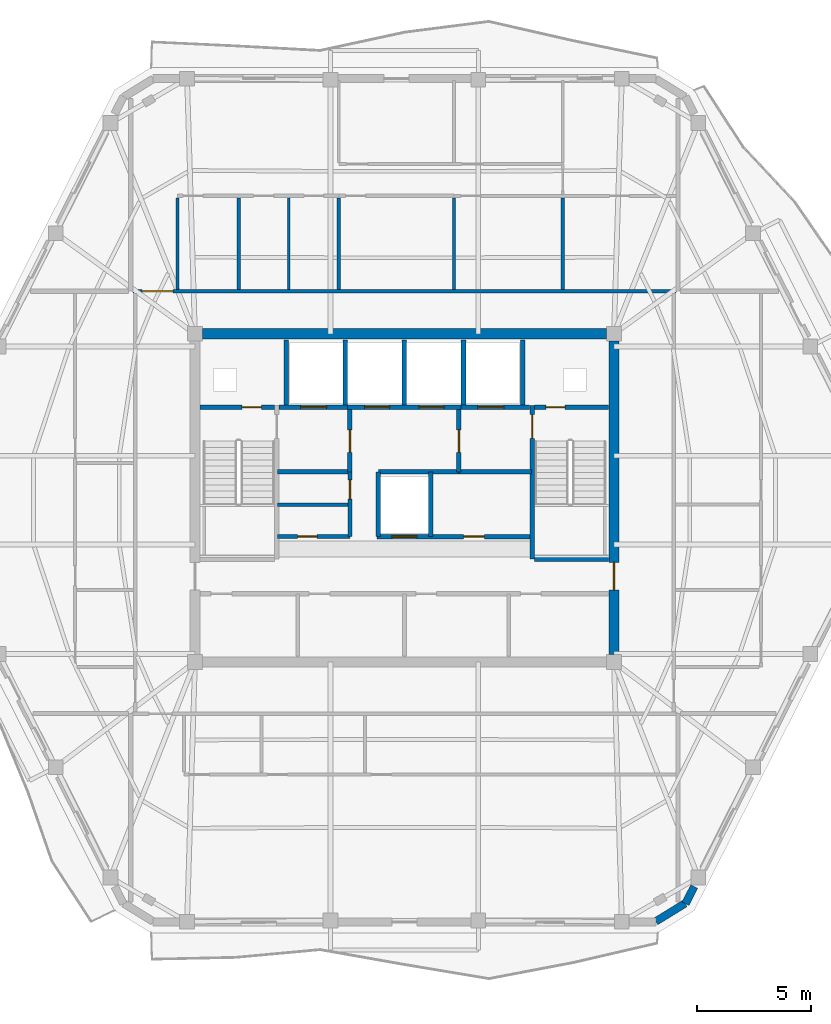
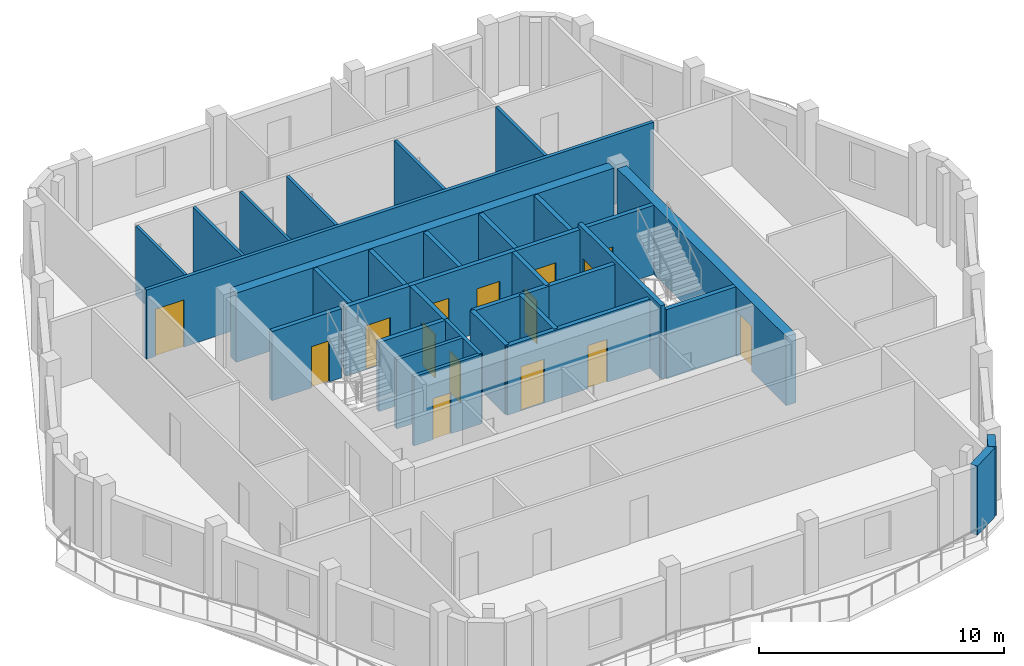
# One storey, part 5 of 10: 34 walls, 15 doors, 15 openings.
"""IFC4 building model written with IfcOpenShell, lengths in metres."""

from ifc_helpers import new_model, si_unit, direction, frame, frame_2d, origin, place, context, subcontext, project, spatial, rectangle, extrude, material, layer, layer_set, type_object, element, fill, save


model = new_model("IFC4")

# Units and contexts
model_context = context("Model", 3, precision=1e-05, world=origin(), true_north=direction((0.0, 1.0)))
body_context = subcontext(model_context, "Body", "Model", "MODEL_VIEW")
ifc_project = project(units=[si_unit("LENGTHUNIT", "METRE"), si_unit("AREAUNIT", "SQUARE_METRE"), si_unit("VOLUMEUNIT", "CUBIC_METRE"), si_unit("PLANEANGLEUNIT", "RADIAN"), si_unit("MASSUNIT", "GRAM", prefix="KILO")], contexts=[model_context])

# Site, building, storey
site_placement = place(None, origin())
site = spatial("IfcSite", under=ifc_project, at=site_placement, CompositionType="ELEMENT")
building_placement = place(site_placement, origin())
building = spatial("IfcBuilding", under=site, at=building_placement, Name="Cinnabar Lancet Tower", CompositionType="ELEMENT")
storey_placement = place(building_placement, frame((0.0, 0.0, 267.14990234375)))
storey = spatial("IfcBuildingStorey", under=building, at=storey_placement, Name="L71", CompositionType="ELEMENT", Elevation=267.14990234375)

# Wall, opening, door
ifc_material_1 = material(Name="Acoustic twin-stud gypsum partition", Category="gypsum")
ifc_layer_1 = layer(ifc_material_1, 0.159912109375)
ifc_layer_set_1 = layer_set([ifc_layer_1], Name="Acoustic twin-stud gypsum partition")
wall_type_1 = type_object("IfcWallType", Name="ARC-WL-CORR-160", PredefinedType="PARTITIONING", material=ifc_layer_set_1)
wall_1_placement = place(storey_placement, frame((26.800048828125, 24.199951171875, 0.0), z_axis=(0.0, 0.0, 1.0), x_axis=(1.0, 0.0, 0.0)))
wall_1 = element("IfcWall", 1, at=wall_1_placement, inside=storey, type_object=wall_type_1, Name="CW-REC5S-L71", PredefinedType="PARTITIONING", context=body_context, shape_type="SweptSolid", body=[
    extrude(rectangle(XDim=3.199951171875, YDim=0.159912109375, at=frame_2d((1.60009765625, 0.0))), origin(), (0.0, 0.0, 1.0), 3.4501953125),
])
opening_1_placement = place(wall_1_placement, frame((0.89990234375, 0.0, 0.0)))
opening_1 = element("IfcOpeningElement", 2, at=opening_1_placement, cuts=wall_1, Name="Opening PD-02", PredefinedType="OPENING", context=body_context, shape_type="SweptSolid", body=[
    extrude(rectangle(XDim=0.85009765625, YDim=2.050048828125, at=frame_2d((0.425048828125, 1.02490234375))), frame((0.0, 0.08984375, 0.0), z_axis=(0.0, -1.0, 0.0), x_axis=(1.0, 0.0, 0.0)), (0.0, 0.0, 1.0), 0.179931640625),
])
ifc_material_2 = material(Name="Fire-rated steel riser access door", Category="steel")
door_type_1 = type_object("IfcDoorType", Name="ARC-DR-RISER", OperationType="NOTDEFINED", PredefinedType="DOOR", material=ifc_material_2)
door_1_placement = place(opening_1_placement, origin())
door_1 = element("IfcDoor", 3, at=door_1_placement, inside=storey, type_object=door_type_1, Name="DR-L71-REC5S", OperationType="SINGLE_SWING_LEFT", OverallHeight=2.050048828125, OverallWidth=0.85009765625, PredefinedType="DOOR", context=body_context, shape_type="SweptSolid", body=[
    extrude(rectangle(XDim=0.85009765625, YDim=2.050048828125, at=frame_2d((0.425048828125, 1.02490234375))), frame((0.0, 0.02490234375, 0.0), z_axis=(0.0, -1.0, 0.0), x_axis=(1.0, 0.0, 0.0)), (0.0, 0.0, 1.0), 0.050048828125),
])
fill(opening_1, door_1)

wall_2_placement = place(storey_placement, frame((30.0, 24.199951171875, 0.0), z_axis=(0.0, 0.0, 1.0), x_axis=(0.0, 1.0, 0.0)))
wall_2 = element("IfcWall", 4, at=wall_2_placement, inside=storey, type_object=wall_type_1, Name="CW-REC5E-L71", PredefinedType="PARTITIONING", context=body_context, shape_type="SweptSolid", body=[
    extrude(rectangle(XDim=2.85009765625, YDim=0.159912109375, at=frame_2d((1.425048828125, 0.0))), origin(), (0.0, 0.0, 1.0), 3.4501953125),
])
opening_2_placement = place(wall_2_placement, frame((1.64990234375, 0.0, 0.0)))
opening_2 = element("IfcOpeningElement", 5, at=opening_2_placement, cuts=wall_2, Name="Opening PD-02", PredefinedType="OPENING", context=body_context, shape_type="SweptSolid", body=[
    extrude(rectangle(XDim=0.85009765625, YDim=2.050048828125, at=frame_2d((0.425048828125, 1.02490234375))), frame((0.0, 0.08984375, 0.0), z_axis=(0.0, -1.0, 0.0), x_axis=(1.0, 0.0, 0.0)), (0.0, 0.0, 1.0), 0.179931640625),
])
door_2_placement = place(opening_2_placement, origin())
door_2 = element("IfcDoor", 6, at=door_2_placement, inside=storey, type_object=door_type_1, Name="DR-L71-REC5N", OperationType="SINGLE_SWING_RIGHT", OverallHeight=2.050048828125, OverallWidth=0.85009765625, PredefinedType="DOOR", context=body_context, shape_type="SweptSolid", body=[
    extrude(rectangle(XDim=0.85009765625, YDim=2.050048828125, at=frame_2d((0.425048828125, 1.02490234375))), frame((0.0, 0.02490234375, 0.0), z_axis=(0.0, -1.0, 0.0), x_axis=(1.0, 0.0, 0.0)), (0.0, 0.0, 1.0), 0.050048828125),
])
fill(opening_2, door_2)

# Wall
wall_3_placement = place(storey_placement, frame((26.800048828125, 25.60009765625, 0.0), z_axis=(0.0, 0.0, 1.0), x_axis=(1.0, 0.0, 0.0)))
element("IfcWall", 7, at=wall_3_placement, inside=storey, type_object=wall_type_1, Name="CW-REC5HZ-L71", PredefinedType="PARTITIONING", context=body_context, shape_type="SweptSolid", body=[
    extrude(rectangle(XDim=3.199951171875, YDim=0.159912109375, at=frame_2d((1.60009765625, 0.0))), origin(), (0.0, 0.0, 1.0), 3.4501953125),
])

# Wall, opening, door
wall_4_placement = place(storey_placement, frame((20.445068359375, 35.0, 0.0), z_axis=(0.0, 0.0, 1.0), x_axis=(1.0, 0.0, 0.0)))
wall_4 = element("IfcWall", 8, at=wall_4_placement, inside=storey, type_object=wall_type_1, Name="L71 Unit N01 Corridor Wall", PredefinedType="PARTITIONING", context=body_context, shape_type="SweptSolid", body=[
    extrude(rectangle(XDim=23.909912109375, YDim=0.159912109375, at=frame_2d((11.955078125, 0.0))), origin(), (0.0, 0.0, 1.0), 3.4501953125),
])
opening_3_placement = place(wall_4_placement, frame((0.405029296875, 0.0, 0.0)))
opening_3 = element("IfcOpeningElement", 9, at=opening_3_placement, cuts=wall_4, Name="Opening UD-02", PredefinedType="OPENING", context=body_context, shape_type="SweptSolid", body=[
    extrude(rectangle(XDim=1.35009765625, YDim=2.35009765625, at=frame_2d((0.675048828125, 1.175048828125))), frame((0.0, 0.08984375, 0.0), z_axis=(0.0, -1.0, 0.0), x_axis=(1.0, 0.0, 0.0)), (0.0, 0.0, 1.0), 0.179931640625),
])
ifc_material_3 = material(Name="Double-leaf solid timber penthouse entrance door", Category="wood")
door_type_2 = type_object("IfcDoorType", Name="ARC-DR-UNIT-PH", OperationType="NOTDEFINED", PredefinedType="DOOR", material=ifc_material_3)
door_3_placement = place(opening_3_placement, origin())
door_3 = element("IfcDoor", 10, at=door_3_placement, inside=storey, type_object=door_type_2, Name="DR-L71-N01-ENT", OperationType="SINGLE_SWING_RIGHT", OverallHeight=2.35009765625, OverallWidth=1.35009765625, PredefinedType="DOOR", context=body_context, shape_type="SweptSolid", body=[
    extrude(rectangle(XDim=1.35009765625, YDim=2.35009765625, at=frame_2d((0.675048828125, 1.175048828125))), frame((0.0, 0.02490234375, 0.0), z_axis=(0.0, -1.0, 0.0), x_axis=(1.0, 0.0, 0.0)), (0.0, 0.0, 1.0), 0.050048828125),
])
fill(opening_3, door_3)

# Wall
ifc_material_4 = material(Name="Autoclaved aerated concrete blockwork", Category="masonry")
ifc_layer_2 = layer(ifc_material_4, 0.199951171875)
ifc_layer_set_2 = layer_set([ifc_layer_2], Name="Autoclaved aerated concrete blockwork")
wall_type_2 = type_object("IfcWallType", Name="ARC-WL-SHAFT-200", PredefinedType="PLUMBINGWALL", material=ifc_layer_set_2)
wall_5_placement = place(storey_placement, frame((38.125, 23.199951171875, 0.0), z_axis=(0.0, 0.0, 1.0), x_axis=(1.0, 0.0, 0.0)))
element("IfcWall", 11, at=wall_5_placement, inside=storey, type_object=wall_type_2, Name="CW-ST2S-L71", PredefinedType="PLUMBINGWALL", context=body_context, shape_type="SweptSolid", body=[
    extrude(rectangle(XDim=3.27001953125, YDim=0.199951171875, at=frame_2d((1.635009765625, 0.0))), origin(), (0.0, 0.0, 1.0), 3.4501953125),
])

# Wall, opening, door
wall_6_placement = place(storey_placement, frame((23.405029296875, 29.89990234375, 0.0), z_axis=(0.0, 0.0, 1.0), x_axis=(1.0, 0.0, 0.0)))
wall_6 = element("IfcWall", 12, at=wall_6_placement, inside=storey, type_object=wall_type_2, Name="CW-NSH-W-L71", PredefinedType="PLUMBINGWALL", context=body_context, shape_type="SweptSolid", body=[
    extrude(rectangle(XDim=3.27001953125, YDim=0.199951171875, at=frame_2d((1.635009765625, 0.0))), origin(), (0.0, 0.0, 1.0), 3.4501953125),
])
opening_4_placement = place(wall_6_placement, frame((1.85009765625, 0.0, 0.0)))
opening_4 = element("IfcOpeningElement", 13, at=opening_4_placement, cuts=wall_6, Name="Opening PD-02", PredefinedType="OPENING", context=body_context, shape_type="SweptSolid", body=[
    extrude(rectangle(XDim=0.85009765625, YDim=2.050048828125, at=frame_2d((0.425048828125, 1.02490234375))), frame((0.0, 0.10986328125, 0.0), z_axis=(0.0, -1.0, 0.0), x_axis=(1.0, 0.0, 0.0)), (0.0, 0.0, 1.0), 0.219970703125),
])
door_4_placement = place(opening_4_placement, origin())
door_4 = element("IfcDoor", 14, at=door_4_placement, inside=storey, type_object=door_type_1, Name="L71 West Riser Access Door", OperationType="SINGLE_SWING_LEFT", OverallHeight=2.050048828125, OverallWidth=0.85009765625, PredefinedType="DOOR", context=body_context, shape_type="SweptSolid", body=[
    extrude(rectangle(XDim=0.85009765625, YDim=2.050048828125, at=frame_2d((0.425048828125, 1.02490234375))), frame((0.0, 0.02490234375, 0.0), z_axis=(0.0, -1.0, 0.0), x_axis=(1.0, 0.0, 0.0)), (0.0, 0.0, 1.0), 0.050048828125),
])
fill(opening_4, door_4)

wall_7_placement = place(storey_placement, frame((26.885009765625, 29.89990234375, 0.0), z_axis=(0.0, 0.0, 1.0), x_axis=(1.0, 0.0, 0.0)))
wall_7 = element("IfcWall", 15, at=wall_7_placement, inside=storey, type_object=wall_type_2, Name="CW-FL1-L71", PredefinedType="PLUMBINGWALL", context=body_context, shape_type="SweptSolid", body=[
    extrude(rectangle(XDim=3.014892578125, YDim=0.199951171875, at=frame_2d((1.50732421875, 0.0))), origin(), (0.0, 0.0, 1.0), 3.4501953125),
])
opening_5_placement = place(wall_7_placement, frame((0.93994140625, 0.0, 0.0)))
opening_5 = element("IfcOpeningElement", 16, at=opening_5_placement, cuts=wall_7, Name="Opening LD-02", PredefinedType="OPENING", context=body_context, shape_type="SweptSolid", body=[
    extrude(rectangle(XDim=1.14990234375, YDim=2.199951171875, at=frame_2d((0.574951171875, 1.10009765625))), frame((0.0, 0.10986328125, 0.0), z_axis=(0.0, -1.0, 0.0), x_axis=(1.0, 0.0, 0.0)), (0.0, 0.0, 1.0), 0.219970703125),
])
ifc_material_5 = material(Name="Fire-rated stainless steel firefighting lift landing door", Category="steel")
door_type_3 = type_object("IfcDoorType", Name="ARC-DR-LD-FIRE", OperationType="NOTDEFINED", PredefinedType="DOOR", material=ifc_material_5)
door_5_placement = place(opening_5_placement, origin())
door_5 = element("IfcDoor", 17, at=door_5_placement, inside=storey, type_object=door_type_3, Name="L71 Firefighting Lift FL-1 Landing Door", OperationType="DOUBLE_DOOR_SLIDING", OverallHeight=2.199951171875, OverallWidth=1.14990234375, PredefinedType="DOOR", context=body_context, shape_type="SweptSolid", body=[
    extrude(rectangle(XDim=1.14990234375, YDim=2.199951171875, at=frame_2d((0.574951171875, 1.10009765625))), frame((0.0, 0.02490234375, 0.0), z_axis=(0.0, -1.0, 0.0), x_axis=(1.0, 0.0, 0.0)), (0.0, 0.0, 1.0), 0.050048828125),
])
fill(opening_5, door_5)

# Wall, openings, doors
wall_8_placement = place(storey_placement, frame((29.89990234375, 29.89990234375, 0.0), z_axis=(0.0, 0.0, 1.0), x_axis=(1.0, 0.0, 0.0)))
wall_8 = element("IfcWall", 18, at=wall_8_placement, inside=storey, type_object=wall_type_2, Name="CW-PL78-L71", PredefinedType="PLUMBINGWALL", context=body_context, shape_type="SweptSolid", body=[
    extrude(rectangle(XDim=5.0, YDim=0.199951171875, at=frame_2d((2.5, 0.0))), origin(), (0.0, 0.0, 1.0), 3.4501953125),
])
opening_6_placement = place(wall_8_placement, frame((0.75, 0.0, 0.0)))
opening_6 = element("IfcOpeningElement", 19, at=opening_6_placement, cuts=wall_8, Name="Opening LD-01", PredefinedType="OPENING", context=body_context, shape_type="SweptSolid", body=[
    extrude(rectangle(XDim=1.10009765625, YDim=2.199951171875, at=frame_2d((0.550048828125, 1.10009765625))), frame((0.0, 0.10986328125, 0.0), z_axis=(0.0, -1.0, 0.0), x_axis=(1.0, 0.0, 0.0)), (0.0, 0.0, 1.0), 0.219970703125),
])
opening_7_placement = place(wall_8_placement, frame((3.14990234375, 0.0, 0.0)))
opening_7 = element("IfcOpeningElement", 20, at=opening_7_placement, cuts=wall_8, Name="Opening LD-01", PredefinedType="OPENING", context=body_context, shape_type="SweptSolid", body=[
    extrude(rectangle(XDim=1.10009765625, YDim=2.199951171875, at=frame_2d((0.550048828125, 1.10009765625))), frame((0.0, 0.10986328125, 0.0), z_axis=(0.0, -1.0, 0.0), x_axis=(1.0, 0.0, 0.0)), (0.0, 0.0, 1.0), 0.219970703125),
])
ifc_material_6 = material(Name="Brushed stainless steel sliding lift door", Category="steel")
door_type_4 = type_object("IfcDoorType", Name="ARC-DR-LD-PASS", OperationType="NOTDEFINED", PredefinedType="DOOR", material=ifc_material_6)
door_6_placement = place(opening_6_placement, origin())
door_6 = element("IfcDoor", 21, at=door_6_placement, inside=storey, type_object=door_type_4, Name="L71 Lift PL-7 Landing Door", OperationType="DOUBLE_DOOR_SLIDING", OverallHeight=2.199951171875, OverallWidth=1.10009765625, PredefinedType="DOOR", context=body_context, shape_type="SweptSolid", body=[
    extrude(rectangle(XDim=1.10009765625, YDim=2.199951171875, at=frame_2d((0.550048828125, 1.10009765625))), frame((0.0, 0.02490234375, 0.0), z_axis=(0.0, -1.0, 0.0), x_axis=(1.0, 0.0, 0.0)), (0.0, 0.0, 1.0), 0.050048828125),
])
fill(opening_6, door_6)
door_7_placement = place(opening_7_placement, origin())
door_7 = element("IfcDoor", 22, at=door_7_placement, inside=storey, type_object=door_type_4, Name="L71 Lift PL-8 Landing Door", OperationType="DOUBLE_DOOR_SLIDING", OverallHeight=2.199951171875, OverallWidth=1.10009765625, PredefinedType="DOOR", context=body_context, shape_type="SweptSolid", body=[
    extrude(rectangle(XDim=1.10009765625, YDim=2.199951171875, at=frame_2d((0.550048828125, 1.10009765625))), frame((0.0, 0.02490234375, 0.0), z_axis=(0.0, -1.0, 0.0), x_axis=(1.0, 0.0, 0.0)), (0.0, 0.0, 1.0), 0.050048828125),
])
fill(opening_7, door_7)

# Wall, opening, door
wall_9_placement = place(storey_placement, frame((34.89990234375, 29.89990234375, 0.0), z_axis=(0.0, 0.0, 1.0), x_axis=(1.0, 0.0, 0.0)))
wall_9 = element("IfcWall", 23, at=wall_9_placement, inside=storey, type_object=wall_type_2, Name="CW-FL2-L71", PredefinedType="PLUMBINGWALL", context=body_context, shape_type="SweptSolid", body=[
    extrude(rectangle(XDim=3.01513671875, YDim=0.199951171875, at=frame_2d((1.507568359375, 0.0))), origin(), (0.0, 0.0, 1.0), 3.4501953125),
])
opening_8_placement = place(wall_9_placement, frame((0.72509765625, 0.0, 0.0)))
opening_8 = element("IfcOpeningElement", 24, at=opening_8_placement, cuts=wall_9, Name="Opening LD-02", PredefinedType="OPENING", context=body_context, shape_type="SweptSolid", body=[
    extrude(rectangle(XDim=1.14990234375, YDim=2.199951171875, at=frame_2d((0.574951171875, 1.10009765625))), frame((0.0, 0.10986328125, 0.0), z_axis=(0.0, -1.0, 0.0), x_axis=(1.0, 0.0, 0.0)), (0.0, 0.0, 1.0), 0.219970703125),
])
door_8_placement = place(opening_8_placement, origin())
door_8 = element("IfcDoor", 25, at=door_8_placement, inside=storey, type_object=door_type_3, Name="L71 Firefighting Lift FL-2 Landing Door", OperationType="DOUBLE_DOOR_SLIDING", OverallHeight=2.199951171875, OverallWidth=1.14990234375, PredefinedType="DOOR", context=body_context, shape_type="SweptSolid", body=[
    extrude(rectangle(XDim=1.14990234375, YDim=2.199951171875, at=frame_2d((0.574951171875, 1.10009765625))), frame((0.0, 0.02490234375, 0.0), z_axis=(0.0, -1.0, 0.0), x_axis=(1.0, 0.0, 0.0)), (0.0, 0.0, 1.0), 0.050048828125),
])
fill(opening_8, door_8)

wall_10_placement = place(storey_placement, frame((38.125, 29.89990234375, 0.0), z_axis=(0.0, 0.0, 1.0), x_axis=(1.0, 0.0, 0.0)))
wall_10 = element("IfcWall", 26, at=wall_10_placement, inside=storey, type_object=wall_type_2, Name="CW-NSH-E-L71", PredefinedType="PLUMBINGWALL", context=body_context, shape_type="SweptSolid", body=[
    extrude(rectangle(XDim=3.27001953125, YDim=0.199951171875, at=frame_2d((1.635009765625, 0.0))), origin(), (0.0, 0.0, 1.0), 3.4501953125),
])
opening_9_placement = place(wall_10_placement, frame((0.5, 0.0, 0.0)))
opening_9 = element("IfcOpeningElement", 27, at=opening_9_placement, cuts=wall_10, Name="Opening PD-02", PredefinedType="OPENING", context=body_context, shape_type="SweptSolid", body=[
    extrude(rectangle(XDim=0.85009765625, YDim=2.050048828125, at=frame_2d((0.425048828125, 1.02490234375))), frame((0.0, 0.10986328125, 0.0), z_axis=(0.0, -1.0, 0.0), x_axis=(1.0, 0.0, 0.0)), (0.0, 0.0, 1.0), 0.219970703125),
])
door_9_placement = place(opening_9_placement, origin())
door_9 = element("IfcDoor", 28, at=door_9_placement, inside=storey, type_object=door_type_1, Name="L71 East Riser Access Door", OperationType="SINGLE_SWING_RIGHT", OverallHeight=2.050048828125, OverallWidth=0.85009765625, PredefinedType="DOOR", context=body_context, shape_type="SweptSolid", body=[
    extrude(rectangle(XDim=0.85009765625, YDim=2.050048828125, at=frame_2d((0.425048828125, 1.02490234375))), frame((0.0, 0.02490234375, 0.0), z_axis=(0.0, -1.0, 0.0), x_axis=(1.0, 0.0, 0.0)), (0.0, 0.0, 1.0), 0.050048828125),
])
fill(opening_9, door_9)

# Walls
for number, where, z_axis, x_axis, name in (
    (29, (27.199951171875, 30.0, 0.0), (0.0, 0.0, 1.0), (0.0, 1.0, 0.0), "CW-NSH-D1-L71"),
    (30, (29.800048828125, 30.0, 0.0), (0.0, 0.0, 1.0), (0.0, 1.0, 0.0), "CW-NSH-D2-L71"),
    (31, (32.39990234375, 30.0, 0.0), (0.0, 0.0, 1.0), (0.0, 1.0, 0.0), "CW-NSH-D3-L71"),
    (32, (35.0, 30.0, 0.0), (0.0, 0.0, 1.0), (0.0, 1.0, 0.0), "CW-NSH-D4-L71"),
    (33, (37.60009765625, 30.0, 0.0), (0.0, 0.0, 1.0), (0.0, 1.0, 0.0), "CW-NSH-D5-L71"),
):
    element("IfcWall", number, at=place(storey_placement, frame(where, z_axis=z_axis, x_axis=x_axis)), inside=storey, type_object=wall_type_2, Name=name, PredefinedType="PLUMBINGWALL", context=body_context, shape_type="SweptSolid", body=[
        extrude(rectangle(XDim=2.85009765625, YDim=0.199951171875, at=frame_2d((1.425048828125, 0.0))), origin(), (0.0, 0.0, 1.0), 3.4501953125),
    ])

# Wall, opening, door
wall_11_placement = place(storey_placement, frame((30.0, 27.050048828125, 0.0), z_axis=(0.0, 0.0, 1.0), x_axis=(0.0, 1.0, 0.0)))
wall_11 = element("IfcWall", 34, at=wall_11_placement, inside=storey, type_object=wall_type_2, Name="CW-FF1E-L71", PredefinedType="PLUMBINGWALL", context=body_context, shape_type="SweptSolid", body=[
    extrude(rectangle(XDim=2.75, YDim=0.199951171875, at=frame_2d((1.375, 0.0))), origin(), (0.0, 0.0, 1.0), 3.4501953125),
])
opening_10_placement = place(wall_11_placement, frame((0.85009765625, 0.0, 0.0)))
opening_10 = element("IfcOpeningElement", 35, at=opening_10_placement, cuts=wall_11, Name="Opening FD-01", PredefinedType="OPENING", context=body_context, shape_type="SweptSolid", body=[
    extrude(rectangle(XDim=1.0, YDim=2.14990234375, at=frame_2d((0.5, 1.074951171875))), frame((0.0, 0.10986328125, 0.0), z_axis=(0.0, -1.0, 0.0), x_axis=(1.0, 0.0, 0.0)), (0.0, 0.0, 1.0), 0.219970703125),
])
ifc_material_7 = material(Name="Fire-rated timber-core lobby door", Category="wood")
door_type_5 = type_object("IfcDoorType", Name="ARC-DR-FFAL", OperationType="NOTDEFINED", PredefinedType="DOOR", material=ifc_material_7)
door_10_placement = place(opening_10_placement, origin())
door_10 = element("IfcDoor", 36, at=door_10_placement, inside=storey, type_object=door_type_5, Name="L71 FFAL-1 Lobby Fire Door", OperationType="SINGLE_SWING_RIGHT", OverallHeight=2.14990234375, OverallWidth=1.0, PredefinedType="DOOR", context=body_context, shape_type="SweptSolid", body=[
    extrude(rectangle(XDim=1.0, YDim=2.14990234375, at=frame_2d((0.5, 1.074951171875))), frame((0.0, 0.02490234375, 0.0), z_axis=(0.0, -1.0, 0.0), x_axis=(1.0, 0.0, 0.0)), (0.0, 0.0, 1.0), 0.050048828125),
])
fill(opening_10, door_10)

# Wall
wall_12_placement = place(storey_placement, frame((26.800048828125, 27.050048828125, 0.0), z_axis=(0.0, 0.0, 1.0), x_axis=(1.0, 0.0, 0.0)))
element("IfcWall", 37, at=wall_12_placement, inside=storey, type_object=wall_type_2, Name="CW-FF1S-L71", PredefinedType="PLUMBINGWALL", context=body_context, shape_type="SweptSolid", body=[
    extrude(rectangle(XDim=3.199951171875, YDim=0.199951171875, at=frame_2d((1.60009765625, 0.0))), origin(), (0.0, 0.0, 1.0), 3.4501953125),
])

# Wall, opening, door
wall_13_placement = place(storey_placement, frame((34.800048828125, 27.050048828125, 0.0), z_axis=(0.0, 0.0, 1.0), x_axis=(0.0, 1.0, 0.0)))
wall_13 = element("IfcWall", 38, at=wall_13_placement, inside=storey, type_object=wall_type_2, Name="CW-FF2W-L71", PredefinedType="PLUMBINGWALL", context=body_context, shape_type="SweptSolid", body=[
    extrude(rectangle(XDim=2.75, YDim=0.199951171875, at=frame_2d((1.375, 0.0))), origin(), (0.0, 0.0, 1.0), 3.4501953125),
])
opening_11_placement = place(wall_13_placement, frame((0.85009765625, 0.0, 0.0)))
opening_11 = element("IfcOpeningElement", 39, at=opening_11_placement, cuts=wall_13, Name="Opening FD-01", PredefinedType="OPENING", context=body_context, shape_type="SweptSolid", body=[
    extrude(rectangle(XDim=1.0, YDim=2.14990234375, at=frame_2d((0.5, 1.074951171875))), frame((0.0, 0.10986328125, 0.0), z_axis=(0.0, -1.0, 0.0), x_axis=(1.0, 0.0, 0.0)), (0.0, 0.0, 1.0), 0.219970703125),
])
door_11_placement = place(opening_11_placement, origin())
door_11 = element("IfcDoor", 40, at=door_11_placement, inside=storey, type_object=door_type_5, Name="L71 FFAL-2 Lobby Fire Door", OperationType="SINGLE_SWING_LEFT", OverallHeight=2.14990234375, OverallWidth=1.0, PredefinedType="DOOR", context=body_context, shape_type="SweptSolid", body=[
    extrude(rectangle(XDim=1.0, YDim=2.14990234375, at=frame_2d((0.5, 1.074951171875))), frame((0.0, 0.02490234375, 0.0), z_axis=(0.0, -1.0, 0.0), x_axis=(1.0, 0.0, 0.0)), (0.0, 0.0, 1.0), 0.050048828125),
])
fill(opening_11, door_11)

# Wall
wall_14_placement = place(storey_placement, frame((34.800048828125, 27.050048828125, 0.0), z_axis=(0.0, 0.0, 1.0), x_axis=(1.0, 0.0, 0.0)))
element("IfcWall", 41, at=wall_14_placement, inside=storey, type_object=wall_type_2, Name="CW-FF2S-L71", PredefinedType="PLUMBINGWALL", context=body_context, shape_type="SweptSolid", body=[
    extrude(rectangle(XDim=3.199951171875, YDim=0.199951171875, at=frame_2d((1.60009765625, 0.0))), origin(), (0.0, 0.0, 1.0), 3.4501953125),
])

# Wall, openings, doors
wall_15_placement = place(storey_placement, frame((31.199951171875, 24.199951171875, 0.0), z_axis=(0.0, 0.0, 1.0), x_axis=(1.0, 0.0, 0.0)))
wall_15 = element("IfcWall", 42, at=wall_15_placement, inside=storey, type_object=wall_type_2, Name="CW-PL96S-L71", PredefinedType="PLUMBINGWALL", context=body_context, shape_type="SweptSolid", body=[
    extrude(rectangle(XDim=6.800048828125, YDim=0.199951171875, at=frame_2d((3.39990234375, 0.0))), origin(), (0.0, 0.0, 1.0), 3.4501953125),
])
opening_12_placement = place(wall_15_placement, frame((0.64990234375, 0.0, 0.0)))
opening_12 = element("IfcOpeningElement", 43, at=opening_12_placement, cuts=wall_15, Name="Opening LD-01", PredefinedType="OPENING", context=body_context, shape_type="SweptSolid", body=[
    extrude(rectangle(XDim=1.10009765625, YDim=2.199951171875, at=frame_2d((0.550048828125, 1.10009765625))), frame((0.0, 0.10986328125, 0.0), z_axis=(0.0, -1.0, 0.0), x_axis=(1.0, 0.0, 0.0)), (0.0, 0.0, 1.0), 0.219970703125),
])
opening_13_placement = place(wall_15_placement, frame((3.800048828125, 0.0, 0.0)))
opening_13 = element("IfcOpeningElement", 44, at=opening_13_placement, cuts=wall_15, Name="Opening RD-01", PredefinedType="OPENING", context=body_context, shape_type="SweptSolid", body=[
    extrude(rectangle(XDim=0.919921875, YDim=2.14990234375, at=frame_2d((0.4599609375, 1.074951171875))), frame((0.0, 0.10986328125, 0.0), z_axis=(0.0, -1.0, 0.0), x_axis=(1.0, 0.0, 0.0)), (0.0, 0.0, 1.0), 0.219970703125),
])
door_12_placement = place(opening_12_placement, origin())
door_12 = element("IfcDoor", 45, at=door_12_placement, inside=storey, type_object=door_type_4, Name="L71 Lift PL-9 Landing Door", OperationType="DOUBLE_DOOR_SLIDING", OverallHeight=2.199951171875, OverallWidth=1.10009765625, PredefinedType="DOOR", context=body_context, shape_type="SweptSolid", body=[
    extrude(rectangle(XDim=1.10009765625, YDim=2.199951171875, at=frame_2d((0.550048828125, 1.10009765625))), frame((0.0, 0.02490234375, 0.0), z_axis=(0.0, -1.0, 0.0), x_axis=(1.0, 0.0, 0.0)), (0.0, 0.0, 1.0), 0.050048828125),
])
fill(opening_12, door_12)
ifc_material_8 = material(Name="Engineered timber bedroom door", Category="wood")
door_type_6 = type_object("IfcDoorType", Name="ARC-DR-ROOM", OperationType="NOTDEFINED", PredefinedType="DOOR", material=ifc_material_8)
door_13_placement = place(opening_13_placement, origin())
door_13 = element("IfcDoor", 46, at=door_13_placement, inside=storey, type_object=door_type_6, Name="DR-L71-REC6", OperationType="SINGLE_SWING_RIGHT", OverallHeight=2.14990234375, OverallWidth=0.919921875, PredefinedType="DOOR", context=body_context, shape_type="SweptSolid", body=[
    extrude(rectangle(XDim=0.919921875, YDim=2.14990234375, at=frame_2d((0.4599609375, 1.074951171875))), frame((0.0, 0.02490234375, 0.0), z_axis=(0.0, -1.0, 0.0), x_axis=(1.0, 0.0, 0.0)), (0.0, 0.0, 1.0), 0.050048828125),
])
fill(opening_13, door_13)

# Walls
for number, where, z_axis, x_axis, name in (
    (47, (31.25, 24.199951171875, 0.0), (0.0, 0.0, 1.0), (0.0, 1.0, 0.0), "CW-PL9W-L71"),
    (48, (33.550048828125, 24.199951171875, 0.0), (0.0, 0.0, 1.0), (0.0, 1.0, 0.0), "CW-PL9E-L71"),
):
    element("IfcWall", number, at=place(storey_placement, frame(where, z_axis=z_axis, x_axis=x_axis)), inside=storey, type_object=wall_type_2, Name=name, PredefinedType="PLUMBINGWALL", context=body_context, shape_type="SweptSolid", body=[
        extrude(rectangle(XDim=2.85009765625, YDim=0.199951171875, at=frame_2d((1.425048828125, 0.0))), origin(), (0.0, 0.0, 1.0), 3.4501953125),
    ])
wall_16_placement = place(storey_placement, frame((31.25, 27.050048828125, 0.0), z_axis=(0.0, 0.0, 1.0), x_axis=(1.0, 0.0, 0.0)))
element("IfcWall", 49, at=wall_16_placement, inside=storey, type_object=wall_type_2, Name="CW-PL96N-L71", PredefinedType="PLUMBINGWALL", context=body_context, shape_type="SweptSolid", body=[
    extrude(rectangle(XDim=3.550048828125, YDim=0.199951171875, at=frame_2d((1.77490234375, 0.0))), origin(), (0.0, 0.0, 1.0), 3.4501953125),
])
ifc_material_9 = material(Name="Gypsum plasterboard stud partition", Category="gypsum")
ifc_layer_3 = layer(ifc_material_9, 0.125)
ifc_layer_set_3 = layer_set([ifc_layer_3], Name="Gypsum plasterboard stud partition")
wall_type_3 = type_object("IfcWallType", Name="ARC-WL-UNIT-125", PredefinedType="PARTITIONING", material=ifc_layer_set_3)
for number, where, z_axis, x_axis, name in (
    (50, (22.39990234375, 35.0849609375, 0.0), (0.0, 0.0, 1.0), (0.0, 1.0, 0.0), "UW-L71-N01-FOYE"),
    (51, (27.304931640625, 35.0849609375, 0.0), (0.0, 0.0, 1.0), (0.0, 1.0, 0.0), "UW-L71-N01-STD"),
):
    element("IfcWall", number, at=place(storey_placement, frame(where, z_axis=z_axis, x_axis=x_axis)), inside=storey, type_object=wall_type_3, Name=name, PredefinedType="PARTITIONING", context=body_context, shape_type="SweptSolid", body=[
        extrude(rectangle(XDim=4.010986328125, YDim=0.125, at=frame_2d((2.00537109375, 0.0))), origin(), (0.0, 0.0, 1.0), 3.4501953125),
    ])
ifc_material_10 = material(Name="Moisture-resistant cement-board plumbing wall", Category="masonry")
ifc_layer_4 = layer(ifc_material_10, 0.139892578125)
ifc_layer_set_4 = layer_set([ifc_layer_4], Name="Moisture-resistant cement-board plumbing wall")
wall_type_4 = type_object("IfcWallType", Name="ARC-WL-WET-140", PredefinedType="PLUMBINGWALL", material=ifc_layer_set_4)
for number, where, z_axis, x_axis, name in (
    (52, (25.10107421875, 35.0849609375, 0.0), (0.0, 0.0, 1.0), (0.0, 1.0, 0.0), "UW-L71-N01-KDV"),
    (53, (29.508056640625, 35.0849609375, 0.0), (0.0, 0.0, 1.0), (0.0, 1.0, 0.0), "UW-L71-N01-ENSW"),
    (54, (34.587890625, 35.0849609375, 0.0), (0.0, 0.0, 1.0), (0.0, 1.0, 0.0), "UW-L71-N01-ENSE"),
    (55, (39.3701171875, 35.0849609375, 0.0), (0.0, 0.0, 1.0), (0.0, 1.0, 0.0), "UW-L71-N01-UT3"),
):
    element("IfcWall", number, at=place(storey_placement, frame(where, z_axis=z_axis, x_axis=x_axis)), inside=storey, type_object=wall_type_4, Name=name, PredefinedType="PLUMBINGWALL", context=body_context, shape_type="SweptSolid", body=[
        extrude(rectangle(XDim=4.010986328125, YDim=0.139892578125, at=frame_2d((2.00537109375, 0.0))), origin(), (0.0, 0.0, 1.0), 3.4501953125),
    ])
ifc_material_11 = material(Name="Cinnabar red clay brick", Category="masonry")
ifc_layer_5 = layer(ifc_material_11, 0.340087890625)
ifc_layer_set_5 = layer_set([ifc_layer_5], Name="Cinnabar red clay brick")
wall_type_5 = type_object("IfcWallType", Name="ENV-WL-BRK-RED-340", PredefinedType="STANDARD", material=ifc_layer_set_5)
wall_17_placement = place(storey_placement, frame((43.468994140625, 7.2548828125, 0.0), z_axis=(0.0, 0.0, 1.0), x_axis=(0.851680557619, 0.52406128246, 0.0)))
element("IfcWall", 56, at=wall_17_placement, inside=storey, type_object=wall_type_5, Name="L71 Chamfered Corner Brick Pier 2.1", PredefinedType="STANDARD", context=body_context, shape_type="SweptSolid", body=[
    extrude(rectangle(XDim=1.507568359375, YDim=0.340087890625, at=frame_2d((0.75390625, 0.0))), origin(), (0.0, 0.0, 1.0), 3.4501953125),
])
wall_18_placement = place(storey_placement, frame((44.77294921875, 8.029052734375, 0.0), z_axis=(0.0, 0.0, 1.0), x_axis=(0.451907025977, 0.8920650424, 0.0)))
element("IfcWall", 57, at=wall_18_placement, inside=storey, type_object=wall_type_5, Name="L71 Face 2 Masonry Bay Wall 1", PredefinedType="STANDARD", context=body_context, shape_type="SweptSolid", body=[
    extrude(rectangle(XDim=0.85205078125, YDim=0.340087890625, at=frame_2d((0.426025390625, 0.0))), origin(), (0.0, 0.0, 1.0), 3.4501953125),
])
ifc_material_12 = material(Name="Concrete C50/60", Category="concrete")
ifc_layer_6 = layer(ifc_material_12, 0.449951171875)
ifc_layer_set_6 = layer_set([ifc_layer_6], Name="Concrete C50/60")
wall_type_6 = type_object("IfcWallType", Name="STR-WL-CORE-450", PredefinedType="SHEAR", material=ifc_layer_set_6)
wall_19_placement = place(storey_placement, frame((23.5, 33.125, 0.0), z_axis=(0.0, 0.0, 1.0), x_axis=(1.0, 0.0, 0.0)))
element("IfcWall", 58, at=wall_19_placement, inside=storey, type_object=wall_type_6, Name="L71 Core Shear Wall N", PredefinedType="SHEAR", context=body_context, shape_type="SweptSolid", body=[
    extrude(rectangle(XDim=17.800048828125, YDim=0.449951171875, at=frame_2d((8.89990234375, 0.0))), origin(), (0.0, 0.0, 1.0), 3.4501953125),
])

# Wall, opening, door
wall_20_placement = place(storey_placement, frame((41.625, 19.0, 0.0), z_axis=(0.0, 0.0, 1.0), x_axis=(0.0, 1.0, 0.0)))
wall_20 = element("IfcWall", 59, at=wall_20_placement, inside=storey, type_object=wall_type_6, Name="L71 Core Shear Wall E", PredefinedType="SHEAR", context=body_context, shape_type="SweptSolid", body=[
    extrude(rectangle(XDim=13.800048828125, YDim=0.449951171875, at=frame_2d((6.89990234375, 0.0))), origin(), (0.0, 0.0, 1.0), 3.4501953125),
])
opening_14_placement = place(wall_20_placement, frame((2.840087890625, 0.0, 0.0)))
opening_14 = element("IfcOpeningElement", 60, at=opening_14_placement, cuts=wall_20, Name="Opening FD-02", PredefinedType="OPENING", context=body_context, shape_type="SweptSolid", body=[
    extrude(rectangle(XDim=1.219970703125, YDim=2.25, at=frame_2d((0.60986328125, 1.125))), frame((0.0, 0.23486328125, 0.0), z_axis=(0.0, -1.0, 0.0), x_axis=(1.0, 0.0, 0.0)), (0.0, 0.0, 1.0), 0.469970703125),
])
ifc_material_13 = material(Name="Fire-rated double-vision core portal door", Category="wood")
door_type_7 = type_object("IfcDoorType", Name="ARC-DR-CPORT", OperationType="NOTDEFINED", PredefinedType="DOOR", material=ifc_material_13)
door_14_placement = place(opening_14_placement, origin())
door_14 = element("IfcDoor", 61, at=door_14_placement, inside=storey, type_object=door_type_7, Name="L71 East Core Lobby Fire Door", OperationType="SINGLE_SWING_LEFT", OverallHeight=2.25, OverallWidth=1.219970703125, PredefinedType="DOOR", context=body_context, shape_type="SweptSolid", body=[
    extrude(rectangle(XDim=1.219970703125, YDim=2.25, at=frame_2d((0.60986328125, 1.125))), frame((0.0, 0.02490234375, 0.0), z_axis=(0.0, -1.0, 0.0), x_axis=(1.0, 0.0, 0.0)), (0.0, 0.0, 1.0), 0.050048828125),
])
fill(opening_14, door_14)

ifc_material_14 = material(Name="Concrete C50/60", Category="concrete")
ifc_layer_7 = layer(ifc_material_14, 0.199951171875)
ifc_layer_set_7 = layer_set([ifc_layer_7], Name="Concrete C50/60")
wall_type_7 = type_object("IfcWallType", Name="STR-WL-STAIR-200", PredefinedType="SHEAR", material=ifc_layer_set_7)
wall_21_placement = place(storey_placement, frame((38.02001953125, 23.199951171875, 0.0), z_axis=(0.0, 0.0, 1.0), x_axis=(0.0, 1.0, 0.0)))
wall_21 = element("IfcWall", 62, at=wall_21_placement, inside=storey, type_object=wall_type_7, Name="L71 Stair ST-2 Structural Enclosure Wall", PredefinedType="SHEAR", context=body_context, shape_type="SweptSolid", body=[
    extrude(rectangle(XDim=6.780029296875, YDim=0.199951171875, at=frame_2d((3.39013671875, 0.0))), origin(), (0.0, 0.0, 1.0), 3.650146484375),
])
opening_15_placement = place(wall_21_placement, frame((5.320068359375, 0.0, 0.0)))
opening_15 = element("IfcOpeningElement", 63, at=opening_15_placement, cuts=wall_21, Name="Opening SD-01", PredefinedType="OPENING", context=body_context, shape_type="SweptSolid", body=[
    extrude(rectangle(XDim=1.050048828125, YDim=2.14990234375, at=frame_2d((0.52490234375, 1.074951171875))), frame((0.0, 0.10986328125, 0.0), z_axis=(0.0, -1.0, 0.0), x_axis=(1.0, 0.0, 0.0)), (0.0, 0.0, 1.0), 0.219970703125),
])
ifc_material_15 = material(Name="Fire-rated steel stair exit door", Category="steel")
door_type_8 = type_object("IfcDoorType", Name="ARC-DR-STAIR", OperationType="NOTDEFINED", PredefinedType="DOOR", material=ifc_material_15)
door_15_placement = place(opening_15_placement, origin())
door_15 = element("IfcDoor", 64, at=door_15_placement, inside=storey, type_object=door_type_8, Name="L71 Stair ST-2 Fire Door", OperationType="SINGLE_SWING_RIGHT", OverallHeight=2.14990234375, OverallWidth=1.050048828125, PredefinedType="DOOR", context=body_context, shape_type="SweptSolid", body=[
    extrude(rectangle(XDim=1.050048828125, YDim=2.14990234375, at=frame_2d((0.52490234375, 1.074951171875))), frame((0.0, 0.02490234375, 0.0), z_axis=(0.0, -1.0, 0.0), x_axis=(1.0, 0.0, 0.0)), (0.0, 0.0, 1.0), 0.050048828125),
])
fill(opening_15, door_15)

save(model, "model.ifc")
